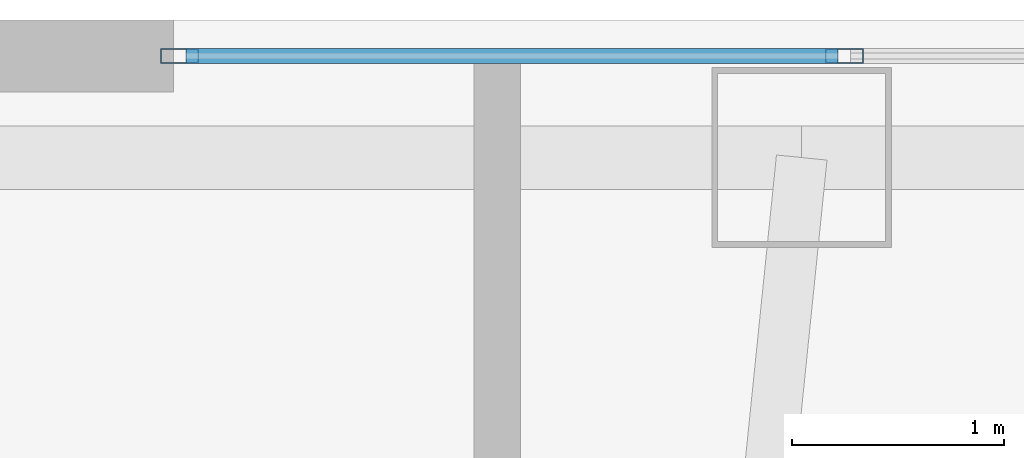
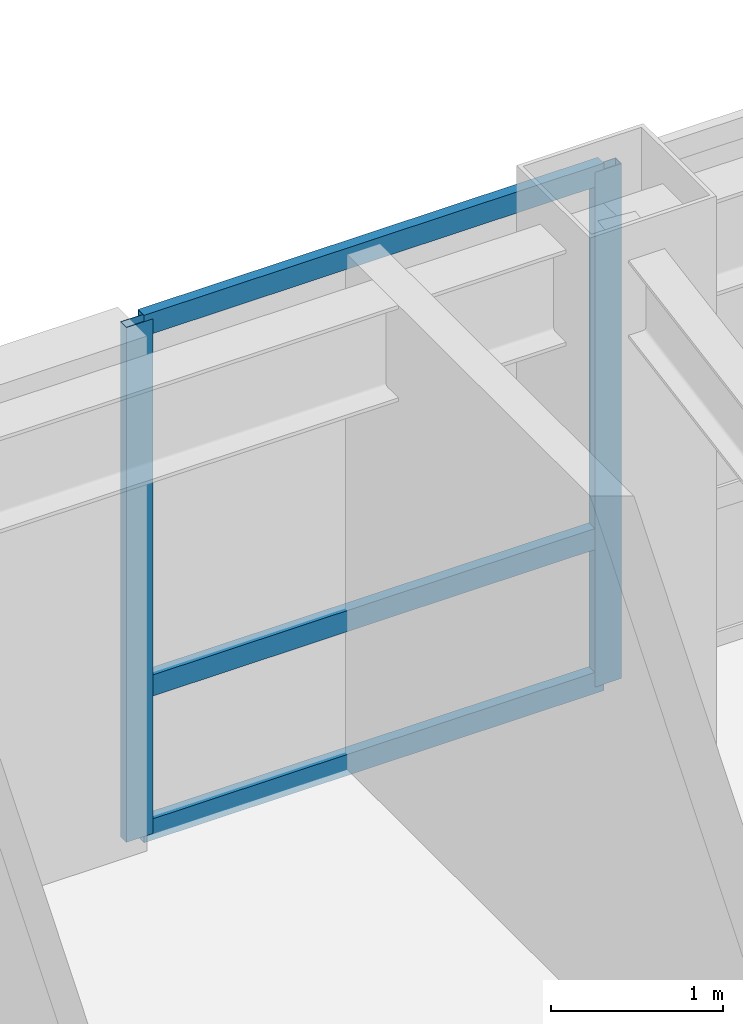
# One storey, part 17 of 29: 5 members, 1 element without a shape of its own.
"""IFC4 building model written with IfcOpenShell, lengths in metres."""

import ifcopenshell
import ifcopenshell.guid

model = None  # the IFC model being written
_history = None  # IfcOwnerHistory: only IFC2X3 demands one
_inside = {}  # id of a spatial element -> (the spatial element, [elements in it])
_under = {}  # id of a project, library or spatial element -> (it, [spatial elements below it])
_declared = {}  # id of a project -> (the project, [libraries it declares])
_typed = {}  # id of a type object -> (the type object, [elements of that type])
_made_of = {}  # id of a material, layer set ... -> (it, [elements and type objects made of it])


def new_model(schema):
    """Start an empty IFC model of exactly this schema.

    Asked for "IFC4X3", IfcOpenShell would pick the latest addendum, in which some entities
    have other attributes; the version numbers below select the first issue.
    IFC2X3 requires an IfcOwnerHistory on every rooted entity: one is made here for all.
    """
    global model, _history
    if schema == "IFC4X3":
        model = ifcopenshell.file(schema_version=(4, 3, 0, 0))
    else:
        model = ifcopenshell.file(schema=schema)
    _inside.clear()
    _under.clear()
    _declared.clear()
    _typed.clear()
    _made_of.clear()
    _history = None
    if model.schema == "IFC2X3":
        org = make("IfcOrganization", Name="unknown")
        user = make(
            "IfcPersonAndOrganization",
            ThePerson=make("IfcPerson", FamilyName="unknown"),
            TheOrganization=org,
        )
        app = make(
            "IfcApplication",
            ApplicationDeveloper=org,
            Version="unknown",
            ApplicationFullName="unknown",
            ApplicationIdentifier="unknown",
        )
        _history = make(
            "IfcOwnerHistory",
            OwningUser=user,
            OwningApplication=app,
            ChangeAction="ADDED",
            CreationDate=0,
        )
    return model


def make(cls, **values):
    """One entity of the class cls with the attributes given. An attribute that is None is left unset."""
    return model.create_entity(
        cls, **{name: value for name, value in values.items() if value is not None}
    )


def rooted(cls, **values):
    """An entity with a GlobalId (a new one), such as an element, a storey or a relation."""
    return make(cls, GlobalId=ifcopenshell.guid.new(), OwnerHistory=_history, **values)


def si_unit(unit_type, name, prefix=None):
    """IfcSIUnit, for example si_unit("LENGTHUNIT", "METRE", prefix="MILLI")."""
    return make("IfcSIUnit", UnitType=unit_type, Prefix=prefix, Name=name)


def assignment(units):
    """IfcUnitAssignment: the units of a project."""
    return None if units is None else make("IfcUnitAssignment", Units=units)


def point(xyz):
    """IfcCartesianPoint."""
    return None if xyz is None else make("IfcCartesianPoint", Coordinates=xyz)


def direction(xyz):
    """IfcDirection."""
    return None if xyz is None else make("IfcDirection", DirectionRatios=xyz)


def frame(location, z_axis=None, x_axis=None):
    """IfcAxis2Placement3D, a coordinate frame: its origin and axes. An axis left out is left unset."""
    return make(
        "IfcAxis2Placement3D",
        Location=point(location),
        Axis=direction(z_axis),
        RefDirection=direction(x_axis),
    )


def frame_2d(location, x_axis=None):
    """IfcAxis2Placement2D, a coordinate frame in the plane: its origin and x axis."""
    return make(
        "IfcAxis2Placement2D", Location=point(location), RefDirection=direction(x_axis)
    )


def origin():
    """The frame at (0, 0, 0) with its axes left unset."""
    return frame((0.0, 0.0, 0.0))


def origin_2d():
    """The frame at (0, 0) in the plane with its x axis left unset."""
    return frame_2d((0.0, 0.0))


def place(relative_to, where):
    """IfcLocalPlacement: puts the frame where relative to a parent placement (None: the world)."""
    return make(
        "IfcLocalPlacement", PlacementRelTo=relative_to, RelativePlacement=where
    )


def context(
    kind, dimensions, precision=None, world=None, true_north=None, identifier=None
):
    """IfcGeometricRepresentationContext, for example the 3D "Model" context."""
    return make(
        "IfcGeometricRepresentationContext",
        ContextIdentifier=identifier,
        ContextType=kind,
        CoordinateSpaceDimension=dimensions,
        Precision=precision,
        WorldCoordinateSystem=world,
        TrueNorth=true_north,
    )


def subcontext(parent, identifier, kind, view, scale=None):
    """IfcGeometricRepresentationSubContext, for example "Body" below "Model"."""
    return make(
        "IfcGeometricRepresentationSubContext",
        ContextIdentifier=identifier,
        ContextType=kind,
        ParentContext=parent,
        TargetScale=scale,
        TargetView=view,
    )


def project(units=None, contexts=None):
    """IfcProject with its units and contexts."""
    return rooted(
        "IfcProject",
        Name="project",
        RepresentationContexts=contexts,
        UnitsInContext=assignment(units),
    )


def spatial(cls, under=None, at=None, **own):
    """A site, building, storey or space (cls), placed at a placement, below another one or the project."""
    s = rooted(cls, ObjectPlacement=at, **own)
    if under is not None:
        _under.setdefault(under.id(), (under, []))[1].append(s)
    return s


def profile(cls, at=None, kind="AREA", **sizes):
    """A parametric profile (cls). Its sizes go by their IFC names, for example OverallWidth=200.0."""
    return make(cls, ProfileType=kind, Position=at, **sizes)


def hollow_rectangle(**sizes):
    """IfcRectangleHollowProfileDef."""
    return profile("IfcRectangleHollowProfileDef", **sizes)


def extrude(swept, where, along, depth):
    """IfcExtrudedAreaSolid: the profile swept, set in the frame where, extruded along a direction by depth."""
    return make(
        "IfcExtrudedAreaSolid",
        SweptArea=swept,
        Position=where,
        ExtrudedDirection=direction(along),
        Depth=depth,
    )


def shape(context_of_items, identifier, shape_type, items):
    """IfcShapeRepresentation: the items that make up one representation, for example the "Body"."""
    return make(
        "IfcShapeRepresentation",
        ContextOfItems=context_of_items,
        RepresentationIdentifier=identifier,
        RepresentationType=shape_type,
        Items=items,
    )


def material(Name=None, Category=None):
    """IfcMaterial."""
    return make("IfcMaterial", Name=Name, Category=Category)


def layer(
    of_material, thickness, ventilated=None, Name=None, Category=None, Priority=None
):
    """IfcMaterialLayer: one layer of a wall or slab, of a material (None: an air gap)."""
    return make(
        "IfcMaterialLayer",
        Material=of_material,
        LayerThickness=thickness,
        IsVentilated=ventilated,
        Name=Name,
        Category=Category,
        Priority=Priority,
    )


def layer_set(layers, Name=None):
    """IfcMaterialLayerSet."""
    return make("IfcMaterialLayerSet", MaterialLayers=layers, LayerSetName=Name)


def material_profile(
    of_material, cross_section, Name=None, Category=None, Priority=None
):
    """IfcMaterialProfile: a cross section and its material."""
    return make(
        "IfcMaterialProfile",
        Name=Name,
        Material=of_material,
        Profile=cross_section,
        Priority=Priority,
        Category=Category,
    )


def profile_set(profiles, Name=None, composite=None):
    """IfcMaterialProfileSet."""
    return make(
        "IfcMaterialProfileSet",
        Name=Name,
        MaterialProfiles=profiles,
        CompositeProfile=composite,
    )


def made_of(thing, what):
    """Note that an element or type object is made of a material, layer set ...; save() writes the relation."""
    if what is not None:
        _made_of.setdefault(what.id(), (what, []))[1].append(thing)
    return thing


def type_object(cls, material=None, **own):
    """A type object (cls), such as IfcWallType, which elements share."""
    return made_of(rooted(cls, **own), material)


def element(
    cls,
    number,
    at=None,
    inside=None,
    cuts=None,
    type_object=None,
    material=None,
    context=None,
    identifier="Body",
    shape_type=None,
    held_by="IfcProductDefinitionShape",
    body=None,
    shapes=None,
    **own,
):
    """One element of the class cls, such as IfcWall. Its Tag is "e" and its number.

    at: its placement. inside: the storey or other place that contains it. cuts: it is an
    opening in that element (IfcRelVoidsElement). A single representation is given by context,
    identifier, shape_type and body (its items); several are given by shapes. held_by: the class
    of the entity that holds the representations. save() writes the other relations.
    """
    e = rooted(cls, Tag="e%d" % number, ObjectPlacement=at, **own)
    if body is not None:
        shapes = [shape(context, identifier, shape_type, body)]
    if shapes is not None:
        e.Representation = make(held_by, Representations=shapes)
    if inside is not None:
        _inside.setdefault(inside.id(), (inside, []))[1].append(e)
    if cuts is not None:
        rooted(
            "IfcRelVoidsElement", RelatingBuildingElement=cuts, RelatedOpeningElement=e
        )
    if type_object is not None:
        _typed.setdefault(type_object.id(), (type_object, []))[1].append(e)
    return made_of(e, material)


def aggregate(whole, parts):
    """IfcRelAggregates: a whole, such as a stair, and the parts it consists of."""
    return rooted("IfcRelAggregates", RelatingObject=whole, RelatedObjects=parts)


def save(model, path):
    """Write the relations noted so far, then the file.

    IfcRelAggregates (storeys below a building ...), IfcRelContainedInSpatialStructure (elements
    in a storey), IfcRelDefinesByType, IfcRelAssociatesMaterial and IfcRelDeclares: one each for
    every whole, place, type object, material and project.
    """
    for whole, parts in _under.values():
        aggregate(whole, parts)
    for where, things in _inside.values():
        rooted(
            "IfcRelContainedInSpatialStructure",
            RelatedElements=things,
            RelatingStructure=where,
        )
    for kind, things in _typed.values():
        rooted("IfcRelDefinesByType", RelatedObjects=things, RelatingType=kind)
    for what, things in _made_of.values():
        rooted("IfcRelAssociatesMaterial", RelatedObjects=things, RelatingMaterial=what)
    for by, libraries in _declared.values():
        rooted("IfcRelDeclares", RelatingContext=by, RelatedDefinitions=libraries)
    model.write(path)


model = new_model("IFC4")

# Units and contexts
model_context = context("Model", 3, precision=1e-05, world=origin(), true_north=direction((0.0, 1.0)))
body_context = subcontext(model_context, "Body", "Model", "MODEL_VIEW")
ifc_project = project(units=[si_unit("LENGTHUNIT", "METRE"), si_unit("AREAUNIT", "SQUARE_METRE"), si_unit("VOLUMEUNIT", "CUBIC_METRE"), si_unit("PLANEANGLEUNIT", "RADIAN"), si_unit("MASSUNIT", "GRAM", prefix="KILO")], contexts=[model_context])

# Site, building, storey
site_placement = place(None, origin())
site = spatial("IfcSite", under=ifc_project, at=site_placement, CompositionType="ELEMENT")
building_placement = place(site_placement, origin())
building = spatial("IfcBuilding", under=site, at=building_placement, Name="Voryun Gate Residences", CompositionType="ELEMENT")
storey_placement = place(building_placement, frame((0.0, 0.0, 211.89990234375)))
storey = spatial("IfcBuildingStorey", under=building, at=storey_placement, Name="L52", CompositionType="ELEMENT", Elevation=211.89990234375)

# Curtain wall, members
ifc_material_1 = material(Name="Anodised aluminium", Category="aluminium")
ifc_layer = layer(ifc_material_1, 0.18994140625, Name="CW_SYS_RES_B_DARK_GLASS")
ifc_layer_set = layer_set([ifc_layer], Name="Anodised aluminium")
curtain_wall_type = type_object("IfcCurtainWallType", Name="CW_SYS_RES_B_DARK_GLASS", PredefinedType="NOTDEFINED", material=ifc_layer_set)
curtain_wall_placement = place(storey_placement, origin())
curtain_wall = element("IfcCurtainWall", 1, at=curtain_wall_placement, inside=storey, type_object=curtain_wall_type, Name="Curtain wall CWT-L52-11", PredefinedType="NOTDEFINED")
ifc_material_2 = material(Name="Anodised aluminium", Category="aluminium")
ifc_material_profile_1 = material_profile(ifc_material_2, hollow_rectangle(XDim=0.070068359375, YDim=0.179931640625, WallThickness=0.00390625, at=origin_2d()), Name="ALU-MULL-180x70x4")
ifc_profile_set_1 = profile_set([ifc_material_profile_1], Name="Anodised aluminium")
member_type_1 = type_object("IfcMemberType", Name="CW_MULL_RES", PredefinedType="MULLION", material=ifc_profile_set_1)
member_1_placement = place(storey_placement, frame((-5.900634765625, 20.030029296875, 0.0), z_axis=(0.0, 0.0, 1.0), x_axis=(0.0, 1.0, 0.0)))
member_1 = element("IfcMember", 2, at=member_1_placement, type_object=member_type_1, Name="CW4 mullion 1", PredefinedType="MULLION", context=body_context, shape_type="SweptSolid", body=[
    extrude(hollow_rectangle(XDim=0.070068359375, YDim=0.179931640625, WallThickness=0.00390625, at=origin_2d()), origin(), (0.0, 0.0, 1.0), 3.650146484375),
])
member_2_placement = place(storey_placement, frame((-2.75830078125, 20.030029296875, 0.0), z_axis=(0.0, 0.0, 1.0), x_axis=(0.0, 1.0, 0.0)))
member_2 = element("IfcMember", 3, at=member_2_placement, type_object=member_type_1, Name="CW4 mullion 2", PredefinedType="MULLION", context=body_context, shape_type="SweptSolid", body=[
    extrude(hollow_rectangle(XDim=0.070068359375, YDim=0.179931640625, WallThickness=0.00390625, at=origin_2d()), origin(), (0.0, 0.0, 1.0), 3.650146484375),
])
ifc_material_3 = material(Name="Anodised aluminium", Category="aluminium")
ifc_material_profile_2 = material_profile(ifc_material_3, hollow_rectangle(XDim=0.070068359375, YDim=0.14990234375, WallThickness=0.00390625, at=origin_2d()), Name="ALU-TRAN-150x70x4")
ifc_profile_set_2 = profile_set([ifc_material_profile_2], Name="Anodised aluminium")
member_type_2 = type_object("IfcMemberType", Name="CW_TRAN_RES", PredefinedType="USERDEFINED", material=ifc_profile_set_2)
member_3_placement = place(storey_placement, frame((-5.87060546875, 20.030029296875, 0.030029296875), z_axis=(1.0, 0.0, 0.0), x_axis=(0.0, 1.0, 0.0)))
member_3 = element("IfcMember", 4, at=member_3_placement, type_object=member_type_2, Name="CW4 transom 1.1", ObjectType="TRANSOM", PredefinedType="USERDEFINED", context=body_context, shape_type="SweptSolid", body=[
    extrude(hollow_rectangle(XDim=0.070068359375, YDim=0.14990234375, WallThickness=0.00390625, at=origin_2d()), origin(), (0.0, 0.0, 1.0), 3.082275390625),
])
member_4_placement = place(storey_placement, frame((-5.87060546875, 20.030029296875, 1.050048828125), z_axis=(1.0, 0.0, 0.0), x_axis=(0.0, 1.0, 0.0)))
member_4 = element("IfcMember", 5, at=member_4_placement, type_object=member_type_2, Name="CW4 transom 1.2", ObjectType="TRANSOM", PredefinedType="USERDEFINED", context=body_context, shape_type="SweptSolid", body=[
    extrude(hollow_rectangle(XDim=0.070068359375, YDim=0.14990234375, WallThickness=0.00390625, at=origin_2d()), origin(), (0.0, 0.0, 1.0), 3.082275390625),
])
member_5_placement = place(storey_placement, frame((-5.87060546875, 20.030029296875, 3.6201171875), z_axis=(1.0, 0.0, 0.0), x_axis=(0.0, 1.0, 0.0)))
member_5 = element("IfcMember", 6, at=member_5_placement, type_object=member_type_2, Name="CW4 transom 1.3", ObjectType="TRANSOM", PredefinedType="USERDEFINED", context=body_context, shape_type="SweptSolid", body=[
    extrude(hollow_rectangle(XDim=0.070068359375, YDim=0.14990234375, WallThickness=0.00390625, at=origin_2d()), origin(), (0.0, 0.0, 1.0), 3.082275390625),
])
aggregate(curtain_wall, [member_1, member_2, member_3, member_4, member_5])

save(model, "model.ifc")
